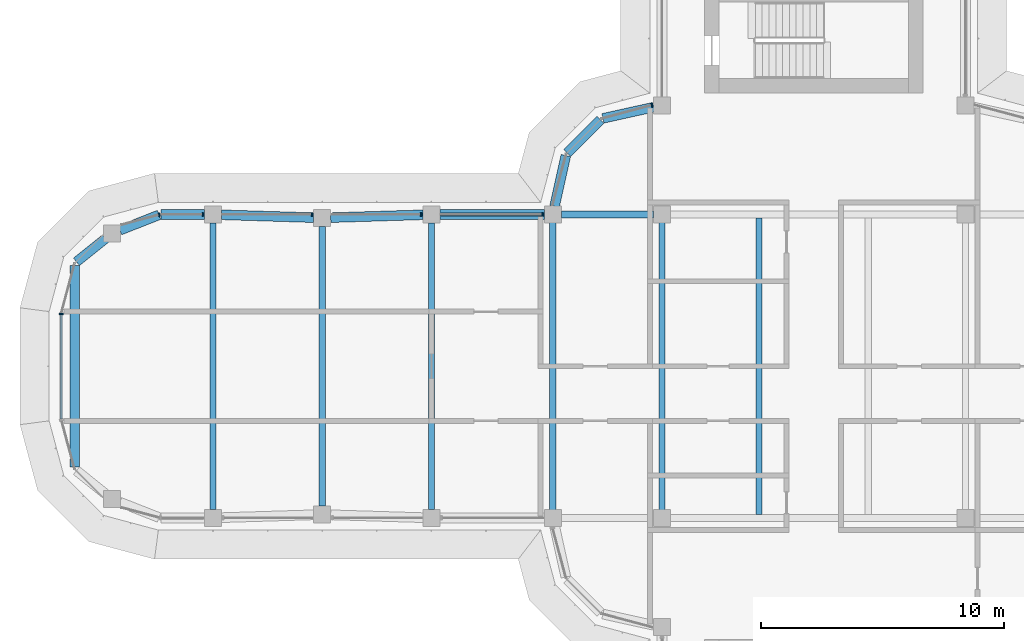
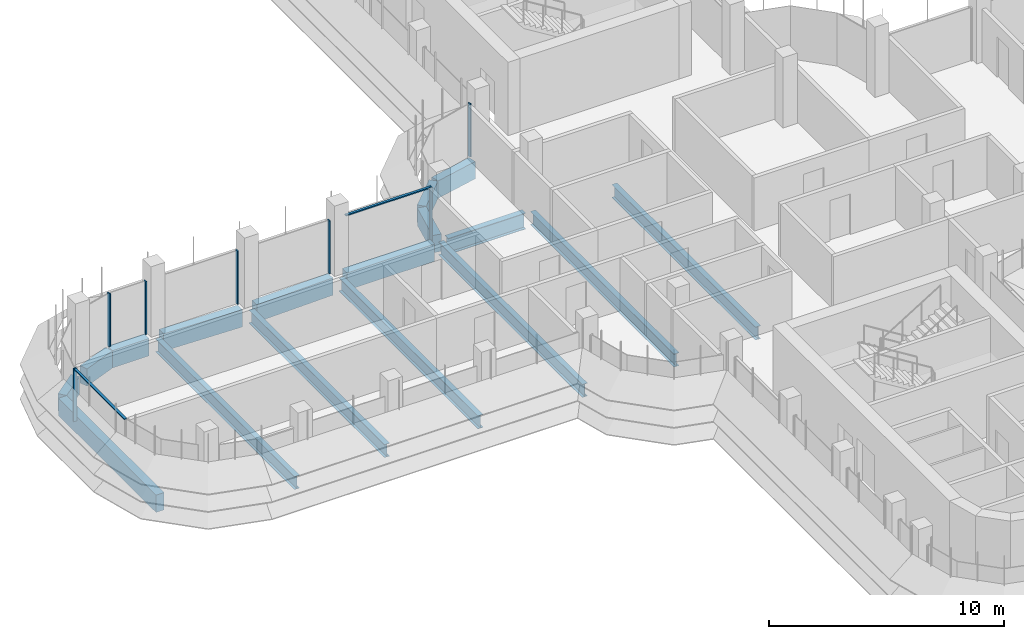
# One storey, part 6 of 19: 17 beams, 9 members, 4 elements without a shape of their own.
"""IFC4 building model written with IfcOpenShell, lengths in metres."""

from ifc_helpers import new_model, si_unit, direction, frame, origin, origin_2d, place, context, subcontext, project, spatial, polyline, rectangle, i_section, outline, extrude, source, transform, mapped, material, material_profile, profile_set, type_object, element, aggregate, save


model = new_model("IFC4")

# Units and contexts
model_context = context("Model", 3, precision=1e-05, world=origin(), true_north=direction((0.0, 1.0)))
body_context = subcontext(model_context, "Body", "Model", "MODEL_VIEW")
ifc_project = project(units=[si_unit("LENGTHUNIT", "METRE"), si_unit("AREAUNIT", "SQUARE_METRE"), si_unit("VOLUMEUNIT", "CUBIC_METRE"), si_unit("PLANEANGLEUNIT", "RADIAN"), si_unit("MASSUNIT", "GRAM", prefix="KILO")], contexts=[model_context])

# Site, building, storey
site_placement = place(None, origin())
site = spatial("IfcSite", under=ifc_project, at=site_placement, CompositionType="ELEMENT")
building_placement = place(site_placement, origin())
building = spatial("IfcBuilding", under=site, at=building_placement, Name="Zarbagh Exchange Tower", CompositionType="ELEMENT")
storey_placement = place(building_placement, frame((0.0, 0.0, 195.39990234375)))
storey = spatial("IfcBuildingStorey", under=building, at=storey_placement, Name="L47", CompositionType="ELEMENT", Elevation=195.39990234375)

# Beams
ifc_material_1 = material(Name="Steel ASTM A992 Gr 50", Category="steel")
ifc_material_profile_1 = material_profile(ifc_material_1, i_section(OverallWidth=0.25390625, OverallDepth=0.67822265625, WebThickness=0.01171875, FlangeThickness=0.016357421875, at=origin_2d()), Name="W27X84")
ifc_profile_set_1 = profile_set([ifc_material_profile_1], Name="Steel ASTM A992 Gr 50")
beam_type_1 = type_object("IfcBeamType", Name="Floor beam W27X84", PredefinedType="BEAM", material=ifc_profile_set_1)
for number, where, z_axis, x_axis, name in (
    (1, (-10.75, -6.10400390625, -0.489013671875), (0.0, 1.0, 0.0), (-1.0, 0.0, 0.0), "Steel floor beam"),
    (2, (-6.25, -6.10400390625, -0.489013671875), (0.0, 1.0, 0.0), (-1.0, 0.0, 0.0), "Steel floor beam"),
    (3, (-2.25, -6.10400390625, -0.489013671875), (0.0, 1.0, 0.0), (-1.0, 0.0, 0.0), "Steel floor beam"),
):
    element("IfcBeam", number, at=place(storey_placement, frame(where, z_axis=z_axis, x_axis=x_axis)), inside=storey, type_object=beam_type_1, Name=name, PredefinedType="BEAM", context=body_context, shape_type="SweptSolid", body=[
        extrude(i_section(OverallWidth=0.25390625, OverallDepth=0.67822265625, WebThickness=0.01171875, FlangeThickness=0.016357421875, at=origin_2d()), origin(), (0.0, 0.0, 1.0), 12.2080078125),
    ])
beam_1_placement = place(storey_placement, frame((-15.75, -5.89990234375, -0.489013671875), z_axis=(0.0, 1.0, 0.0), x_axis=(-1.0, 0.0, 0.0)))
element("IfcBeam", 4, at=beam_1_placement, inside=storey, type_object=beam_type_1, Name="Steel floor beam", PredefinedType="BEAM", context=body_context, shape_type="SweptSolid", body=[
    extrude(i_section(OverallWidth=0.25390625, OverallDepth=0.67822265625, WebThickness=0.01171875, FlangeThickness=0.016357421875, at=origin_2d()), origin(), (0.0, 0.0, 1.0), 11.7998046875),
])
beam_2_placement = place(storey_placement, frame((-20.25, -5.760009765625, -0.489013671875), z_axis=(0.0, 1.0, 0.0), x_axis=(-1.0, 0.0, 0.0)))
element("IfcBeam", 5, at=beam_2_placement, inside=storey, type_object=beam_type_1, Name="Steel floor beam", PredefinedType="BEAM", context=body_context, shape_type="SweptSolid", body=[
    extrude(i_section(OverallWidth=0.25390625, OverallDepth=0.67822265625, WebThickness=0.01171875, FlangeThickness=0.016357421875, at=origin_2d()), origin(), (0.0, 0.0, 1.0), 11.52001953125),
])
beam_3_placement = place(storey_placement, frame((-24.75, -5.89990234375, -0.489013671875), z_axis=(0.0, 1.0, 0.0), x_axis=(-1.0, 0.0, 0.0)))
element("IfcBeam", 6, at=beam_3_placement, inside=storey, type_object=beam_type_1, Name="Steel floor beam", PredefinedType="BEAM", context=body_context, shape_type="SweptSolid", body=[
    extrude(i_section(OverallWidth=0.25390625, OverallDepth=0.67822265625, WebThickness=0.01171875, FlangeThickness=0.016357421875, at=origin_2d()), origin(), (0.0, 0.0, 1.0), 11.7998046875),
])
ifc_material_profile_2 = material_profile(ifc_material_1, i_section(OverallWidth=0.2919921875, OverallDepth=0.835693359375, WebThickness=0.013916015625, FlangeThickness=0.018798828125, at=origin_2d()), Name="W33X118")
ifc_profile_set_2 = profile_set([ifc_material_profile_2], Name="Steel ASTM A992 Gr 50")
beam_type_2 = type_object("IfcBeamType", Name="Floor girder W33X118", PredefinedType="BEAM", material=ifc_profile_set_2)
beam_4_placement = place(storey_placement, frame((-10.39990234375, 6.25, -0.567626953125), z_axis=(1.0, 0.0, 0.0), x_axis=(0.0, 1.0, 0.0)))
element("IfcBeam", 7, at=beam_4_placement, inside=storey, type_object=beam_type_2, Name="Steel girder", PredefinedType="BEAM", context=body_context, shape_type="SweptSolid", body=[
    extrude(i_section(OverallWidth=0.2919921875, OverallDepth=0.835693359375, WebThickness=0.013916015625, FlangeThickness=0.018798828125, at=origin_2d()), origin(), (0.0, 0.0, 1.0), 3.7998046875),
])
ifc_material_2 = material(Name="Concrete C50/60", Category="concrete")
ifc_material_profile_3 = material_profile(ifc_material_2, rectangle(XDim=0.39990234375, YDim=0.89990234375, at=origin_2d()), Name="RC spandrel beam 400 x 900 C50/60")
ifc_profile_set_3 = profile_set([ifc_material_profile_3], Name="Concrete C50/60")
beam_type_3 = type_object("IfcBeamType", Name="RC spandrel beam 400 x 900 C50/60", PredefinedType="SPANDREL", material=ifc_profile_set_3)
beam_5_placement = place(storey_placement, frame((-30.44873046875, -4.14501953125, -0.599853515625), z_axis=(0.0, 1.0, 0.0), x_axis=(-1.0, 0.0, 0.0)))
element("IfcBeam", 8, at=beam_5_placement, inside=storey, type_object=beam_type_3, Name="RC spandrel beam", PredefinedType="SPANDREL", context=body_context, shape_type="SweptSolid", body=[
    extrude(rectangle(XDim=0.39990234375, YDim=0.89990234375, at=origin_2d()), origin(), (0.0, 0.0, 1.0), 8.2900390625),
])
beam_6_placement = place(storey_placement, frame((-30.373779296875, 4.30126953125, -0.599853515625), z_axis=(0.780634897504, 0.62498732531, 0.0), x_axis=(-0.62498732531, 0.780634897504, 0.0)))
element("IfcBeam", 9, at=beam_6_placement, inside=storey, type_object=beam_type_3, Name="RC spandrel beam", PredefinedType="SPANDREL", context=body_context, shape_type="SweptSolid", body=[
    extrude(rectangle(XDim=0.39990234375, YDim=0.89990234375, at=origin_2d()), origin(), (0.0, 0.0, 1.0), 1.52783203125),
])
beam_7_placement = place(storey_placement, frame((-28.582275390625, 5.602783203125, -0.599853515625), z_axis=(0.930809711446, 0.365504146457, 0.0), x_axis=(-0.365504146457, 0.930809711446, 0.0)))
element("IfcBeam", 10, at=beam_7_placement, inside=storey, type_object=beam_type_3, Name="RC spandrel beam", PredefinedType="SPANDREL", context=body_context, shape_type="SweptSolid", body=[
    extrude(rectangle(XDim=0.39990234375, YDim=0.89990234375, at=origin_2d()), origin(), (0.0, 0.0, 1.0), 1.732666015625),
])
beam_8_placement = place(storey_placement, frame((-26.896240234375, 6.25, -0.599853515625), z_axis=(1.0, 0.0, 0.0), x_axis=(0.0, 1.0, 0.0)))
element("IfcBeam", 11, at=beam_8_placement, inside=storey, type_object=beam_type_3, Name="RC spandrel beam", PredefinedType="SPANDREL", context=body_context, shape_type="SweptSolid", body=[
    extrude(rectangle(XDim=0.39990234375, YDim=0.89990234375, at=origin_2d()), origin(), (0.0, 0.0, 1.0), 1.796142578125),
])
for number, where, z_axis, x_axis, name in (
    (12, (-24.400146484375, 6.239013671875, -0.599853515625), (0.999516950199, -0.031078389046, 0.0), (0.031078389046, 0.999516950199, 0.0), "RC spandrel beam"),
    (13, (-19.900146484375, 6.120849609375, -0.599853515625), (0.999516950199, 0.031078389046, 0.0), (-0.031078389046, 0.999516950199, 0.0), "RC spandrel beam"),
):
    element("IfcBeam", number, at=place(storey_placement, frame(where, z_axis=z_axis, x_axis=x_axis)), inside=storey, type_object=beam_type_3, Name=name, PredefinedType="SPANDREL", context=body_context, shape_type="SweptSolid", body=[
        extrude(rectangle(XDim=0.39990234375, YDim=0.89990234375, at=origin_2d()), origin(), (0.0, 0.0, 1.0), 3.80224609375),
    ])
beam_9_placement = place(storey_placement, frame((-15.39990234375, 6.25, -0.599853515625), z_axis=(1.0, 0.0, 0.0), x_axis=(0.0, 1.0, 0.0)))
element("IfcBeam", 14, at=beam_9_placement, inside=storey, type_object=beam_type_3, Name="RC spandrel beam", PredefinedType="SPANDREL", context=body_context, shape_type="SweptSolid", body=[
    extrude(rectangle(XDim=0.39990234375, YDim=0.89990234375, at=origin_2d()), origin(), (0.0, 0.0, 1.0), 4.2998046875),
])
beam_10_placement = place(storey_placement, frame((-10.67431640625, 6.591796875, -0.599853515625), z_axis=(0.216013551096, 0.97639036545, 0.0), x_axis=(-0.97639036545, 0.216013551096, 0.0)))
element("IfcBeam", 15, at=beam_10_placement, inside=storey, type_object=beam_type_3, Name="RC spandrel beam", PredefinedType="SPANDREL", context=body_context, shape_type="SweptSolid", body=[
    extrude(rectangle(XDim=0.39990234375, YDim=0.89990234375, at=origin_2d()), origin(), (0.0, 0.0, 1.0), 2.142822265625),
])
beam_11_placement = place(storey_placement, frame((-10.15771484375, 8.782470703125, -0.599853515625), z_axis=(0.707106781187, 0.707106781187, 0.0), x_axis=(-0.707106781187, 0.707106781187, 0.0)))
element("IfcBeam", 16, at=beam_11_placement, inside=storey, type_object=beam_type_3, Name="RC spandrel beam", PredefinedType="SPANDREL", context=body_context, shape_type="SweptSolid", body=[
    extrude(rectangle(XDim=0.39990234375, YDim=0.89990234375, at=origin_2d()), origin(), (0.0, 0.0, 1.0), 1.94482421875),
])
beam_12_placement = place(storey_placement, frame((-8.68408203125, 10.21142578125, -0.599853515625), z_axis=(0.97639036545, 0.216013551096, 0.0), x_axis=(-0.216013551096, 0.97639036545, 0.0)))
element("IfcBeam", 17, at=beam_12_placement, inside=storey, type_object=beam_type_3, Name="RC spandrel beam", PredefinedType="SPANDREL", context=body_context, shape_type="SweptSolid", body=[
    extrude(rectangle(XDim=0.39990234375, YDim=0.89990234375, at=origin_2d()), origin(), (0.0, 0.0, 1.0), 2.142822265625),
])

# Curtain wall, member
ifc_material_3 = material(Name="Anodised aluminium frame and glazing", Category="aluminium")
curtain_wall_type = type_object("IfcCurtainWallType", Name="CWB Ribbon glazing, upper zones", PredefinedType="NOTDEFINED", material=ifc_material_3)
curtain_wall_1_placement = place(storey_placement, origin())
curtain_wall_1 = element("IfcCurtainWall", 18, at=curtain_wall_1_placement, inside=storey, type_object=curtain_wall_type, Name="CWB29 curtain wall", PredefinedType="NOTDEFINED")
ifc_material_4 = material(Name="Anodised aluminium frame", Category="aluminium")
member_type_1 = type_object("IfcMemberType", Name="MUB Mullion, anodised aluminium frame", PredefinedType="MULLION", material=ifc_material_4)
shared_shape_1 = source(origin(), body_context, "Body", "SweptSolid", [
    extrude(outline(polyline([(0.0, -0.080078125), (0.06005859375, -0.080078125), (0.06005859375, 0.080078125), (0.0, 0.080078125), (0.0, -0.080078125)])), origin(), (0.0, 0.0, 1.0), 2.75),
])
placement = place(storey_placement, origin())
member_1 = element("IfcMember", 19, at=placement, type_object=member_type_1, Name="CWB29 mullion 1.1", PredefinedType="MULLION", context=body_context, shape_type="MappedRepresentation", body=[
    mapped(shared_shape_1, transform((-6.64013671875, 10.76171875, 0.0), x_axis=(-0.965924289636, -0.258824779902, 0.0), y_axis=(0.258824779902, -0.965924289636, 0.0), z_axis=(0.0, 0.0, 1.0))),
])
aggregate(curtain_wall_1, [member_1])

# Curtain wall, members
curtain_wall_2_placement = place(storey_placement, origin())
curtain_wall_2 = element("IfcCurtainWall", 20, at=curtain_wall_2_placement, inside=storey, type_object=curtain_wall_type, Name="CWB58 curtain wall", PredefinedType="NOTDEFINED")
member_2 = element("IfcMember", 21, at=placement, type_object=member_type_1, Name="CWB58 mullion 1.1", PredefinedType="MULLION", context=body_context, shape_type="MappedRepresentation", body=[
    mapped(shared_shape_1, transform((-11.14013671875, 6.25, 0.0), x_axis=(-1.0, 0.0, 0.0), y_axis=(0.0, -1.0, 0.0), z_axis=(0.0, 0.0, 1.0))),
])
member_3 = element("IfcMember", 22, at=placement, type_object=member_type_1, Name="CWB58 mullion 2.1", PredefinedType="MULLION", context=body_context, shape_type="MappedRepresentation", body=[
    mapped(shared_shape_1, transform((-16.14013671875, 6.25, 0.0), x_axis=(-1.0, 0.0, 0.0), y_axis=(0.0, -1.0, 0.0), z_axis=(0.0, 0.0, 1.0))),
])
member_4 = element("IfcMember", 23, at=placement, type_object=member_type_1, Name="CWB58 mullion 3.1", PredefinedType="MULLION", context=body_context, shape_type="MappedRepresentation", body=[
    mapped(shared_shape_1, transform((-20.64013671875, 6.25, 0.0), x_axis=(-1.0, 0.0, 0.0), y_axis=(0.0, -1.0, 0.0), z_axis=(0.0, 0.0, 1.0))),
])
member_5 = element("IfcMember", 24, at=placement, type_object=member_type_1, Name="CWB58 mullion 4.1", PredefinedType="MULLION", context=body_context, shape_type="MappedRepresentation", body=[
    mapped(shared_shape_1, transform((-25.14013671875, 6.25, 0.0), x_axis=(-1.0, 0.0, 0.0), y_axis=(0.0, -1.0, 0.0), z_axis=(0.0, 0.0, 1.0))),
])

# Curtain wall, member
curtain_wall_3_placement = place(storey_placement, origin())
curtain_wall_3 = element("IfcCurtainWall", 25, at=curtain_wall_3_placement, inside=storey, type_object=curtain_wall_type, Name="CWB59 curtain wall", PredefinedType="NOTDEFINED")
member_6 = element("IfcMember", 26, at=placement, type_object=member_type_1, Name="CWB59 mullion 1.1", PredefinedType="MULLION", context=body_context, shape_type="MappedRepresentation", body=[
    mapped(shared_shape_1, transform((-26.93408203125, 6.25, 0.0), x_axis=(-0.965924289636, -0.258824779902, 0.0), y_axis=(0.258824779902, -0.965924289636, 0.0), z_axis=(0.0, 0.0, 1.0))),
])
aggregate(curtain_wall_3, [member_6])

# Curtain wall, members
curtain_wall_4_placement = place(storey_placement, origin())
curtain_wall_4 = element("IfcCurtainWall", 27, at=curtain_wall_4_placement, inside=storey, type_object=curtain_wall_type, Name="CWB66 curtain wall", PredefinedType="NOTDEFINED")
member_7 = element("IfcMember", 28, at=placement, type_object=member_type_1, Name="CWB66 mullion 1.1", PredefinedType="MULLION", context=body_context, shape_type="MappedRepresentation", body=[
    mapped(shared_shape_1, transform((-31.0, 2.18408203125, 0.0), x_axis=(0.0, -1.0, 0.0), y_axis=(1.0, 0.0, 0.0), z_axis=(0.0, 0.0, 1.0))),
])
member_type_2 = type_object("IfcMemberType", Name="TRB Transom, anodised aluminium frame", PredefinedType="USERDEFINED", material=ifc_material_4)
shared_shape_2 = source(origin(), body_context, "Body", "SweptSolid", [
    extrude(outline(polyline([(-0.06005859375, -0.06005859375), (0.0, -0.06005859375), (0.0, 0.06005859375), (-0.06005859375, 0.06005859375), (-0.06005859375, -0.06005859375)])), origin(), (0.0, 0.0, 1.0), 4.308349609375),
])
member_8 = element("IfcMember", 29, at=placement, type_object=member_type_2, Name="CWB66 transom 1.1", ObjectType="TRANSOM", PredefinedType="USERDEFINED", context=body_context, shape_type="MappedRepresentation", body=[
    mapped(shared_shape_2, transform((-31.0, 2.124267578125, 2.75), x_axis=(0.0, 0.0, 1.0), y_axis=(-1.0, 0.0, 0.0), z_axis=(0.0, -1.0, 0.0))),
])
aggregate(curtain_wall_4, [member_7, member_8])

# Member
shared_shape_3 = source(origin(), body_context, "Body", "SweptSolid", [
    extrude(outline(polyline([(-0.06005859375, -0.06005859375), (0.0, -0.06005859375), (0.0, 0.06005859375), (-0.06005859375, 0.06005859375), (-0.06005859375, -0.06005859375)])), origin(), (0.0, 0.0, 1.0), 4.159912109375),
])
member_9 = element("IfcMember", 30, at=placement, type_object=member_type_2, Name="CWB58 transom 1.1", ObjectType="TRANSOM", PredefinedType="USERDEFINED", context=body_context, shape_type="MappedRepresentation", body=[
    mapped(shared_shape_3, transform((-11.199951171875, 6.25, 2.75), x_axis=(0.0, 0.0, 1.0), y_axis=(0.0, 1.0, 0.0), z_axis=(-1.0, 0.0, 0.0))),
])

aggregate(curtain_wall_2, [member_2, member_9, member_3, member_4, member_5])

save(model, "model.ifc")
